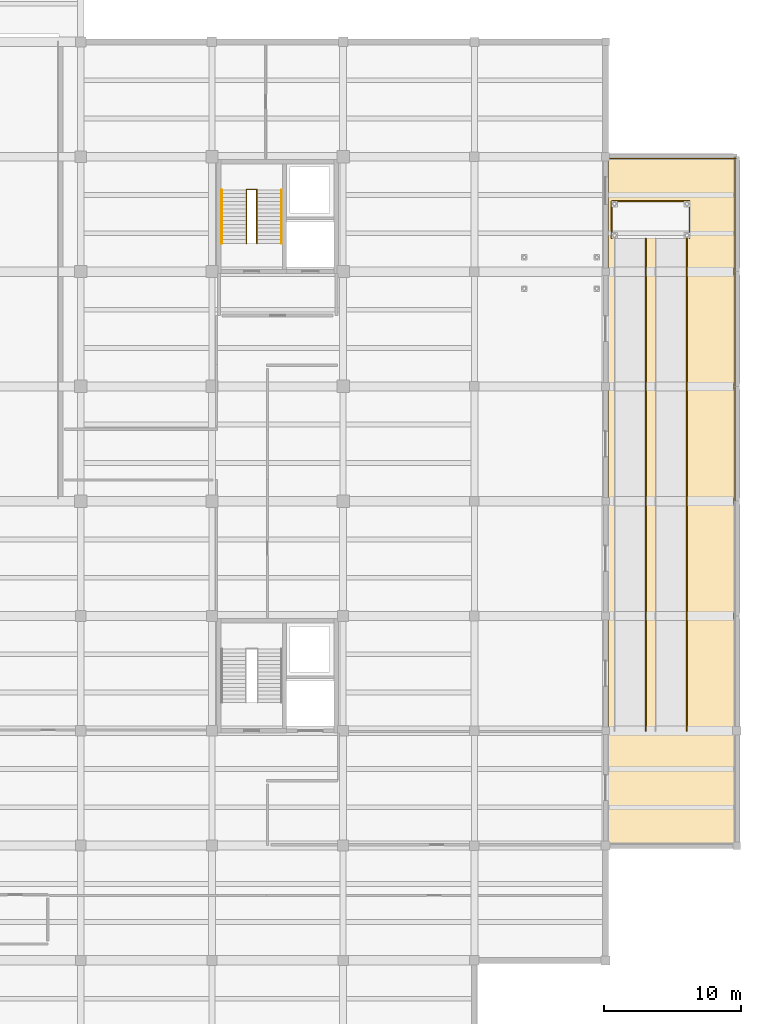
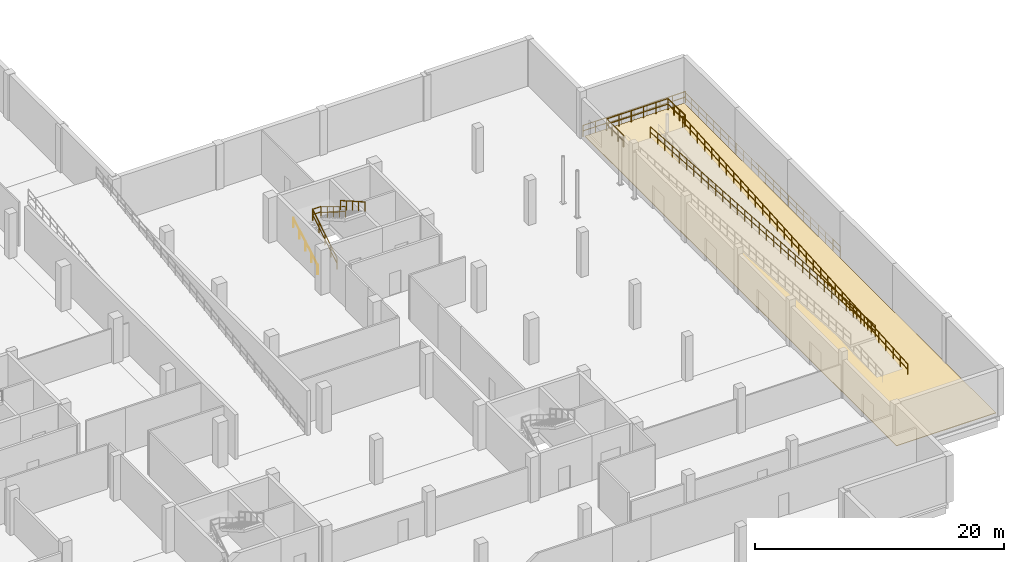
# One storey, part 30 of 30: 14 railings, 1 covering.
"""IFC4 building model written with IfcOpenShell, lengths in metres."""

from ifc_helpers import new_model, si_unit, direction, frame, origin, origin_2d, place, context, subcontext, project, spatial, polyline, circle, outline, extrude, material, layer, layer_set, type_object, element, save


model = new_model("IFC4")

# Units and contexts
model_context = context("Model", 3, precision=1e-05, world=origin(), true_north=direction((0.0, 1.0)))
body_context = subcontext(model_context, "Body", "Model", "MODEL_VIEW")
ifc_project = project(units=[si_unit("LENGTHUNIT", "METRE"), si_unit("AREAUNIT", "SQUARE_METRE"), si_unit("VOLUMEUNIT", "CUBIC_METRE"), si_unit("PLANEANGLEUNIT", "RADIAN"), si_unit("MASSUNIT", "GRAM", prefix="KILO")], contexts=[model_context])

# Site, building, storey
site_placement = place(None, origin())
site = spatial("IfcSite", under=ifc_project, at=site_placement, CompositionType="ELEMENT")
building_placement = place(site_placement, origin())
building = spatial("IfcBuilding", under=site, at=building_placement, Name="Lornevale Opera House", CompositionType="ELEMENT")
storey_placement = place(building_placement, frame((0.0, 0.0, -4.800048828125)))
storey = spatial("IfcBuildingStorey", under=building, at=storey_placement, Name="B1", CompositionType="ELEMENT", Elevation=-4.800048828125)

# Covering
ifc_material_1 = material(Name="Credit Valley Sandstone Ashlar Masonry (25 MPa)", Category="masonry")
ifc_layer_1 = layer(ifc_material_1, 0.054931640625)
ifc_layer_set_1 = layer_set([ifc_layer_1], Name="Credit Valley Sandstone Ashlar Masonry (25 MPa)")
covering_type = type_object("IfcCoveringType", Name="Sandstone Forecourt Paving", PredefinedType="FLOORING", material=ifc_layer_set_1)
covering_placement = place(storey_placement, origin())
element("IfcCovering", 1, at=covering_placement, inside=storey, type_object=covering_type, Name="East Escarpment Lower Plaza Paving", PredefinedType="FLOORING", context=body_context, shape_type="SweptSolid", body=[
    extrude(outline(polyline([(163.39990234375, 25.39990234375), (172.60009765625, 25.39990234375), (172.60009765625, 75.39990234375), (163.39990234375, 75.39990234375), (163.39990234375, 25.39990234375)])), origin(), (0.0, 0.0, 1.0), 0.054931640625),
])

# Railings
ifc_material_2 = material(Name="Structural Steel CSA G40.21 Grade 350W (350 MPa)", Category="steel")
ifc_layer_2 = layer(ifc_material_2, 0.050048828125)
ifc_layer_set_2 = layer_set([ifc_layer_2], Name="Structural Steel CSA G40.21 Grade 350W (350 MPa)")
railing_type_1 = type_object("IfcRailingType", Name="Stair Well Guardrail 1100", PredefinedType="GUARDRAIL", material=ifc_layer_set_2)
railing_1_placement = place(storey_placement, frame((136.919921875, 69.260009765625, 0.0)))
element("IfcRailing", 2, at=railing_1_placement, inside=storey, type_object=railing_type_1, Name="ST-29 Inner Well Guard F1", PredefinedType="GUARDRAIL", context=body_context, shape_type="SweptSolid", body=[
    extrude(circle(Radius=0.02392578125, at=origin_2d()), frame((0.0, 0.0, 1.076171875), z_axis=(0.0, 0.852832477147, 0.522184609045), x_axis=(-1.0, 0.0, 0.0)), (0.0, 0.0, 1.0), 4.596435546875),
    extrude(circle(Radius=0.02392578125, at=origin_2d()), frame((0.0, 0.0, 0.550048828125), z_axis=(0.0, 0.852832477147, 0.522184609045), x_axis=(-1.0, 0.0, 0.0)), (0.0, 0.0, 1.0), 4.596435546875),
    extrude(circle(Radius=0.02099609375, at=origin_2d()), origin(), (0.0, 0.0, 1.0), 1.052001953125),
    extrude(circle(Radius=0.02099609375, at=origin_2d()), frame((0.0, 0.97998046875, 0.60009765625)), (0.0, 0.0, 1.0), 1.052001953125),
    extrude(circle(Radius=0.02099609375, at=origin_2d()), frame((0.0, 1.9599609375, 1.2001953125)), (0.0, 0.0, 1.0), 1.052001953125),
    extrude(circle(Radius=0.02099609375, at=origin_2d()), frame((0.0, 2.93994140625, 1.800048828125)), (0.0, 0.0, 1.0), 1.052001953125),
    extrude(circle(Radius=0.02099609375, at=origin_2d()), frame((0.0, 3.919921875, 2.400146484375)), (0.0, 0.0, 1.0), 1.052001953125),
])
railing_2_placement = place(storey_placement, frame((137.679931640625, 73.179931640625, 2.400146484375)))
element("IfcRailing", 3, at=railing_2_placement, inside=storey, type_object=railing_type_1, Name="ST-29 Inner Well Guard F2", PredefinedType="GUARDRAIL", context=body_context, shape_type="SweptSolid", body=[
    extrude(circle(Radius=0.02392578125, at=origin_2d()), frame((0.0, 0.0, 1.076171875), z_axis=(0.0, -0.852856131449, 0.522145974847), x_axis=(1.0, 0.0, 0.0)), (0.0, 0.0, 1.0), 4.59619140625),
    extrude(circle(Radius=0.02392578125, at=origin_2d()), frame((0.0, 0.0, 0.550048828125), z_axis=(0.0, -0.852856131449, 0.522145974847), x_axis=(1.0, 0.0, 0.0)), (0.0, 0.0, 1.0), 4.59619140625),
    extrude(circle(Radius=0.02099609375, at=origin_2d()), origin(), (0.0, 0.0, 1.0), 1.052001953125),
    extrude(circle(Radius=0.02099609375, at=origin_2d()), frame((0.0, -0.97998046875, 0.60009765625)), (0.0, 0.0, 1.0), 1.052001953125),
    extrude(circle(Radius=0.02099609375, at=origin_2d()), frame((0.0, -1.9599609375, 1.199951171875)), (0.0, 0.0, 1.0), 1.052001953125),
    extrude(circle(Radius=0.02099609375, at=origin_2d()), frame((0.0, -2.93994140625, 1.7998046875)), (0.0, 0.0, 1.0), 1.052001953125),
    extrude(circle(Radius=0.02099609375, at=origin_2d()), frame((0.0, -3.919921875, 2.39990234375)), (0.0, 0.0, 1.0), 1.052001953125),
])
railing_3_placement = place(storey_placement, frame((136.919921875, 73.2099609375, 2.400146484375)))
element("IfcRailing", 4, at=railing_3_placement, inside=storey, type_object=railing_type_1, Name="ST-29 Half-Landing Slot Guard", PredefinedType="GUARDRAIL", context=body_context, shape_type="SweptSolid", body=[
    extrude(circle(Radius=0.02392578125, at=origin_2d()), frame((0.0, 0.0, 1.076171875), z_axis=(1.0, 0.0, 0.0), x_axis=(0.0, 1.0, 0.0)), (0.0, 0.0, 1.0), 0.760009765625),
    extrude(circle(Radius=0.02392578125, at=origin_2d()), frame((0.0, 0.0, 0.550048828125), z_axis=(1.0, 0.0, 0.0), x_axis=(0.0, 1.0, 0.0)), (0.0, 0.0, 1.0), 0.760009765625),
    extrude(circle(Radius=0.02099609375, at=origin_2d()), origin(), (0.0, 0.0, 1.0), 1.052001953125),
    extrude(circle(Radius=0.02099609375, at=origin_2d()), frame((0.760009765625, 0.0, 0.0)), (0.0, 0.0, 1.0), 1.052001953125),
])
ifc_layer_3 = layer(ifc_material_2, 0.06005859375)
ifc_layer_set_3 = layer_set([ifc_layer_3], Name="Structural Steel CSA G40.21 Grade 350W (350 MPa)")
railing_type_2 = type_object("IfcRailingType", Name="Terrace Tubular Guardrail 1120", PredefinedType="GUARDRAIL", material=ifc_layer_set_3)
railing_4_placement = place(storey_placement, frame((169.139892578125, 33.580078125, 0.0)))
element("IfcRailing", 5, at=railing_4_placement, inside=storey, type_object=railing_type_2, Name="RP-03 Ramp Guardrail 0229", PredefinedType="GUARDRAIL", context=body_context, shape_type="SweptSolid", body=[
    extrude(circle(Radius=0.02392578125, at=origin_2d()), frame((0.0, 0.0, 1.09619140625), z_axis=(0.0, 0.997789791153, 0.066449474575), x_axis=(-1.0, 0.0, 0.0)), (0.0, 0.0, 1.0), 36.119873046875),
    extrude(circle(Radius=0.02392578125, at=origin_2d()), frame((0.0, 0.0, 0.56005859375), z_axis=(0.0, 0.997789791153, 0.066449474575), x_axis=(-1.0, 0.0, 0.0)), (0.0, 0.0, 1.0), 36.119873046875),
    extrude(circle(Radius=0.02099609375, at=origin_2d()), origin(), (0.0, 0.0, 1.0), 1.072021484375),
    extrude(circle(Radius=0.02099609375, at=origin_2d()), frame((0.0, 1.16259765625, 0.077392578125)), (0.0, 0.0, 1.0), 1.072021484375),
    extrude(circle(Radius=0.02099609375, at=origin_2d()), frame((0.0, 2.3251953125, 0.15478515625)), (0.0, 0.0, 1.0), 1.072021484375),
    extrude(circle(Radius=0.02099609375, at=origin_2d()), frame((0.0, 3.48779296875, 0.232177734375)), (0.0, 0.0, 1.0), 1.072021484375),
    extrude(circle(Radius=0.02099609375, at=origin_2d()), frame((0.0, 4.650390625, 0.309814453125)), (0.0, 0.0, 1.0), 1.072021484375),
    extrude(circle(Radius=0.02099609375, at=origin_2d()), frame((0.0, 5.81298828125, 0.38720703125)), (0.0, 0.0, 1.0), 1.072021484375),
    extrude(circle(Radius=0.02099609375, at=origin_2d()), frame((0.0, 6.9755859375, 0.464599609375)), (0.0, 0.0, 1.0), 1.072021484375),
    extrude(circle(Radius=0.02099609375, at=origin_2d()), frame((0.0, 8.13818359375, 0.5419921875)), (0.0, 0.0, 1.0), 1.072021484375),
    extrude(circle(Radius=0.02099609375, at=origin_2d()), frame((0.0, 9.300537109375, 0.619384765625)), (0.0, 0.0, 1.0), 1.072021484375),
    extrude(circle(Radius=0.02099609375, at=origin_2d()), frame((0.0, 10.463134765625, 0.69677734375)), (0.0, 0.0, 1.0), 1.072021484375),
    extrude(circle(Radius=0.02099609375, at=origin_2d()), frame((0.0, 11.625732421875, 0.774169921875)), (0.0, 0.0, 1.0), 1.072021484375),
    extrude(circle(Radius=0.02099609375, at=origin_2d()), frame((0.0, 12.788330078125, 0.8515625)), (0.0, 0.0, 1.0), 1.072021484375),
    extrude(circle(Radius=0.02099609375, at=origin_2d()), frame((0.0, 13.950927734375, 0.92919921875)), (0.0, 0.0, 1.0), 1.072021484375),
    extrude(circle(Radius=0.02099609375, at=origin_2d()), frame((0.0, 15.113525390625, 1.006591796875)), (0.0, 0.0, 1.0), 1.072021484375),
    extrude(circle(Radius=0.02099609375, at=origin_2d()), frame((0.0, 16.276123046875, 1.083984375)), (0.0, 0.0, 1.0), 1.072021484375),
    extrude(circle(Radius=0.02099609375, at=origin_2d()), frame((0.0, 17.438720703125, 1.161376953125)), (0.0, 0.0, 1.0), 1.072021484375),
    extrude(circle(Radius=0.02099609375, at=origin_2d()), frame((0.0, 18.601318359375, 1.23876953125)), (0.0, 0.0, 1.0), 1.072021484375),
    extrude(circle(Radius=0.02099609375, at=origin_2d()), frame((0.0, 19.763916015625, 1.316162109375)), (0.0, 0.0, 1.0), 1.072021484375),
    extrude(circle(Radius=0.02099609375, at=origin_2d()), frame((0.0, 20.926513671875, 1.3935546875)), (0.0, 0.0, 1.0), 1.072021484375),
    extrude(circle(Radius=0.02099609375, at=origin_2d()), frame((0.0, 22.089111328125, 1.470947265625)), (0.0, 0.0, 1.0), 1.072021484375),
    extrude(circle(Radius=0.02099609375, at=origin_2d()), frame((0.0, 23.251708984375, 1.548583984375)), (0.0, 0.0, 1.0), 1.072021484375),
    extrude(circle(Radius=0.02099609375, at=origin_2d()), frame((0.0, 24.414306640625, 1.6259765625)), (0.0, 0.0, 1.0), 1.072021484375),
    extrude(circle(Radius=0.02099609375, at=origin_2d()), frame((0.0, 25.576904296875, 1.703369140625)), (0.0, 0.0, 1.0), 1.072021484375),
    extrude(circle(Radius=0.02099609375, at=origin_2d()), frame((0.0, 26.739501953125, 1.78076171875)), (0.0, 0.0, 1.0), 1.072021484375),
    extrude(circle(Radius=0.02099609375, at=origin_2d()), frame((0.0, 27.90185546875, 1.858154296875)), (0.0, 0.0, 1.0), 1.072021484375),
    extrude(circle(Radius=0.02099609375, at=origin_2d()), frame((0.0, 29.064453125, 1.935546875)), (0.0, 0.0, 1.0), 1.072021484375),
    extrude(circle(Radius=0.02099609375, at=origin_2d()), frame((0.0, 30.22705078125, 2.012939453125)), (0.0, 0.0, 1.0), 1.072021484375),
    extrude(circle(Radius=0.02099609375, at=origin_2d()), frame((0.0, 31.3896484375, 2.09033203125)), (0.0, 0.0, 1.0), 1.072021484375),
    extrude(circle(Radius=0.02099609375, at=origin_2d()), frame((0.0, 32.55224609375, 2.16796875)), (0.0, 0.0, 1.0), 1.072021484375),
    extrude(circle(Radius=0.02099609375, at=origin_2d()), frame((0.0, 33.71484375, 2.245361328125)), (0.0, 0.0, 1.0), 1.072021484375),
    extrude(circle(Radius=0.02099609375, at=origin_2d()), frame((0.0, 34.87744140625, 2.32275390625)), (0.0, 0.0, 1.0), 1.072021484375),
    extrude(circle(Radius=0.02099609375, at=origin_2d()), frame((0.0, 36.0400390625, 2.400146484375)), (0.0, 0.0, 1.0), 1.072021484375),
])
railing_5_placement = place(storey_placement, frame((166.139892578125, 69.6201171875, 2.400146484375)))
element("IfcRailing", 6, at=railing_5_placement, inside=storey, type_object=railing_type_2, Name="RP-04 Ramp Guardrail 0232", PredefinedType="GUARDRAIL", context=body_context, shape_type="SweptSolid", body=[
    extrude(circle(Radius=0.02392578125, at=origin_2d()), frame((0.0, 0.0, 1.09619140625), z_axis=(0.0, -0.997790239281, 0.066442745239), x_axis=(1.0, 0.0, 0.0)), (0.0, 0.0, 1.0), 36.119873046875),
    extrude(circle(Radius=0.02392578125, at=origin_2d()), frame((0.0, 0.0, 0.56005859375), z_axis=(0.0, -0.997790239281, 0.066442745239), x_axis=(1.0, 0.0, 0.0)), (0.0, 0.0, 1.0), 36.119873046875),
    extrude(circle(Radius=0.02099609375, at=origin_2d()), origin(), (0.0, 0.0, 1.0), 1.072021484375),
    extrude(circle(Radius=0.02099609375, at=origin_2d()), frame((0.0, -1.16259765625, 0.077392578125)), (0.0, 0.0, 1.0), 1.072021484375),
    extrude(circle(Radius=0.02099609375, at=origin_2d()), frame((0.0, -2.3251953125, 0.15478515625)), (0.0, 0.0, 1.0), 1.072021484375),
    extrude(circle(Radius=0.02099609375, at=origin_2d()), frame((0.0, -3.48779296875, 0.232177734375)), (0.0, 0.0, 1.0), 1.072021484375),
    extrude(circle(Radius=0.02099609375, at=origin_2d()), frame((0.0, -4.650390625, 0.3095703125)), (0.0, 0.0, 1.0), 1.072021484375),
    extrude(circle(Radius=0.02099609375, at=origin_2d()), frame((0.0, -5.81298828125, 0.386962890625)), (0.0, 0.0, 1.0), 1.072021484375),
    extrude(circle(Radius=0.02099609375, at=origin_2d()), frame((0.0, -6.9755859375, 0.464599609375)), (0.0, 0.0, 1.0), 1.072021484375),
    extrude(circle(Radius=0.02099609375, at=origin_2d()), frame((0.0, -8.13818359375, 0.5419921875)), (0.0, 0.0, 1.0), 1.072021484375),
    extrude(circle(Radius=0.02099609375, at=origin_2d()), frame((0.0, -9.300537109375, 0.619384765625)), (0.0, 0.0, 1.0), 1.072021484375),
    extrude(circle(Radius=0.02099609375, at=origin_2d()), frame((0.0, -10.463134765625, 0.69677734375)), (0.0, 0.0, 1.0), 1.072021484375),
    extrude(circle(Radius=0.02099609375, at=origin_2d()), frame((0.0, -11.625732421875, 0.774169921875)), (0.0, 0.0, 1.0), 1.072021484375),
    extrude(circle(Radius=0.02099609375, at=origin_2d()), frame((0.0, -12.788330078125, 0.8515625)), (0.0, 0.0, 1.0), 1.072021484375),
    extrude(circle(Radius=0.02099609375, at=origin_2d()), frame((0.0, -13.950927734375, 0.928955078125)), (0.0, 0.0, 1.0), 1.072021484375),
    extrude(circle(Radius=0.02099609375, at=origin_2d()), frame((0.0, -15.113525390625, 1.00634765625)), (0.0, 0.0, 1.0), 1.072021484375),
    extrude(circle(Radius=0.02099609375, at=origin_2d()), frame((0.0, -16.276123046875, 1.083740234375)), (0.0, 0.0, 1.0), 1.072021484375),
    extrude(circle(Radius=0.02099609375, at=origin_2d()), frame((0.0, -17.438720703125, 1.1611328125)), (0.0, 0.0, 1.0), 1.072021484375),
    extrude(circle(Radius=0.02099609375, at=origin_2d()), frame((0.0, -18.601318359375, 1.23876953125)), (0.0, 0.0, 1.0), 1.072021484375),
    extrude(circle(Radius=0.02099609375, at=origin_2d()), frame((0.0, -19.763916015625, 1.316162109375)), (0.0, 0.0, 1.0), 1.072021484375),
    extrude(circle(Radius=0.02099609375, at=origin_2d()), frame((0.0, -20.926513671875, 1.3935546875)), (0.0, 0.0, 1.0), 1.072021484375),
    extrude(circle(Radius=0.02099609375, at=origin_2d()), frame((0.0, -22.089111328125, 1.470947265625)), (0.0, 0.0, 1.0), 1.072021484375),
    extrude(circle(Radius=0.02099609375, at=origin_2d()), frame((0.0, -23.251708984375, 1.54833984375)), (0.0, 0.0, 1.0), 1.072021484375),
    extrude(circle(Radius=0.02099609375, at=origin_2d()), frame((0.0, -24.414306640625, 1.625732421875)), (0.0, 0.0, 1.0), 1.072021484375),
    extrude(circle(Radius=0.02099609375, at=origin_2d()), frame((0.0, -25.576904296875, 1.703125)), (0.0, 0.0, 1.0), 1.072021484375),
    extrude(circle(Radius=0.02099609375, at=origin_2d()), frame((0.0, -26.739501953125, 1.780517578125)), (0.0, 0.0, 1.0), 1.072021484375),
    extrude(circle(Radius=0.02099609375, at=origin_2d()), frame((0.0, -27.90185546875, 1.85791015625)), (0.0, 0.0, 1.0), 1.072021484375),
    extrude(circle(Radius=0.02099609375, at=origin_2d()), frame((0.0, -29.064453125, 1.935302734375)), (0.0, 0.0, 1.0), 1.072021484375),
    extrude(circle(Radius=0.02099609375, at=origin_2d()), frame((0.0, -30.22705078125, 2.012939453125)), (0.0, 0.0, 1.0), 1.072021484375),
    extrude(circle(Radius=0.02099609375, at=origin_2d()), frame((0.0, -31.3896484375, 2.09033203125)), (0.0, 0.0, 1.0), 1.072021484375),
    extrude(circle(Radius=0.02099609375, at=origin_2d()), frame((0.0, -32.55224609375, 2.167724609375)), (0.0, 0.0, 1.0), 1.072021484375),
    extrude(circle(Radius=0.02099609375, at=origin_2d()), frame((0.0, -33.71484375, 2.2451171875)), (0.0, 0.0, 1.0), 1.072021484375),
    extrude(circle(Radius=0.02099609375, at=origin_2d()), frame((0.0, -34.87744140625, 2.322509765625)), (0.0, 0.0, 1.0), 1.072021484375),
    extrude(circle(Radius=0.02099609375, at=origin_2d()), frame((0.0, -36.0400390625, 2.39990234375)), (0.0, 0.0, 1.0), 1.072021484375),
])
railing_6_placement = place(storey_placement, frame((163.64990234375, 72.340087890625, 2.400146484375)))
element("IfcRailing", 7, at=railing_6_placement, inside=storey, type_object=railing_type_2, Name="Promenade B1 Mid-Landing Guard 0237", PredefinedType="GUARDRAIL", context=body_context, shape_type="SweptSolid", body=[
    extrude(circle(Radius=0.02392578125, at=origin_2d()), frame((0.0, 0.0, 1.09619140625), z_axis=(1.0, 0.0, 0.0), x_axis=(0.0, 1.0, 0.0)), (0.0, 0.0, 1.0), 5.7001953125),
    extrude(circle(Radius=0.02392578125, at=origin_2d()), frame((0.0, 0.0, 0.56005859375), z_axis=(1.0, 0.0, 0.0), x_axis=(0.0, 1.0, 0.0)), (0.0, 0.0, 1.0), 5.7001953125),
    extrude(circle(Radius=0.02099609375, at=origin_2d()), origin(), (0.0, 0.0, 1.0), 1.072021484375),
    extrude(circle(Radius=0.02099609375, at=origin_2d()), frame((1.14013671875, 0.0, 0.0)), (0.0, 0.0, 1.0), 1.072021484375),
    extrude(circle(Radius=0.02099609375, at=origin_2d()), frame((2.280029296875, 0.0, 0.0)), (0.0, 0.0, 1.0), 1.072021484375),
    extrude(circle(Radius=0.02099609375, at=origin_2d()), frame((3.420166015625, 0.0, 0.0)), (0.0, 0.0, 1.0), 1.072021484375),
    extrude(circle(Radius=0.02099609375, at=origin_2d()), frame((4.56005859375, 0.0, 0.0)), (0.0, 0.0, 1.0), 1.072021484375),
    extrude(circle(Radius=0.02099609375, at=origin_2d()), frame((5.7001953125, 0.0, 0.0)), (0.0, 0.0, 1.0), 1.072021484375),
])
for number, where, name in (
    (8, (163.64990234375, 69.64990234375, 2.400146484375), "Promenade B1 Mid-Landing Guard 0238"),
    (9, (169.35009765625, 69.64990234375, 2.400146484375), "Promenade B1 Mid-Landing Guard 0239"),
):
    element("IfcRailing", number, at=place(storey_placement, frame(where)), inside=storey, type_object=railing_type_2, Name=name, PredefinedType="GUARDRAIL", context=body_context, shape_type="SweptSolid", body=[
        extrude(circle(Radius=0.02392578125, at=origin_2d()), frame((0.0, 0.0, 1.09619140625), z_axis=(0.0, 1.0, 0.0), x_axis=(-1.0, 0.0, 0.0)), (0.0, 0.0, 1.0), 2.690185546875),
        extrude(circle(Radius=0.02392578125, at=origin_2d()), frame((0.0, 0.0, 0.56005859375), z_axis=(0.0, 1.0, 0.0), x_axis=(-1.0, 0.0, 0.0)), (0.0, 0.0, 1.0), 2.690185546875),
        extrude(circle(Radius=0.02099609375, at=origin_2d()), origin(), (0.0, 0.0, 1.0), 1.072021484375),
        extrude(circle(Radius=0.02099609375, at=origin_2d()), frame((0.0, 0.896728515625, 0.0)), (0.0, 0.0, 1.0), 1.072021484375),
        extrude(circle(Radius=0.02099609375, at=origin_2d()), frame((0.0, 1.79345703125, 0.0)), (0.0, 0.0, 1.0), 1.072021484375),
        extrude(circle(Radius=0.02099609375, at=origin_2d()), frame((0.0, 2.690185546875, 0.0)), (0.0, 0.0, 1.0), 1.072021484375),
    ])
railing_7_placement = place(storey_placement, frame((172.659912109375, 50.449951171875, 0.0)))
element("IfcRailing", 10, at=railing_7_placement, inside=storey, type_object=railing_type_2, Name="Terrace Perimeter Guard B1 0247", PredefinedType="GUARDRAIL", context=body_context, shape_type="SweptSolid", body=[
    extrude(circle(Radius=0.02392578125, at=origin_2d()), frame((0.0, 0.0, 1.09619140625), z_axis=(0.0, 1.0, 0.0), x_axis=(-1.0, 0.0, 0.0)), (0.0, 0.0, 1.0), 8.300048828125),
    extrude(circle(Radius=0.02392578125, at=origin_2d()), frame((0.0, 0.0, 0.56005859375), z_axis=(0.0, 1.0, 0.0), x_axis=(-1.0, 0.0, 0.0)), (0.0, 0.0, 1.0), 8.300048828125),
    extrude(circle(Radius=0.02099609375, at=origin_2d()), origin(), (0.0, 0.0, 1.0), 1.072021484375),
    extrude(circle(Radius=0.02099609375, at=origin_2d()), frame((0.0, 1.185791015625, 0.0)), (0.0, 0.0, 1.0), 1.072021484375),
    extrude(circle(Radius=0.02099609375, at=origin_2d()), frame((0.0, 2.371337890625, 0.0)), (0.0, 0.0, 1.0), 1.072021484375),
    extrude(circle(Radius=0.02099609375, at=origin_2d()), frame((0.0, 3.55712890625, 0.0)), (0.0, 0.0, 1.0), 1.072021484375),
    extrude(circle(Radius=0.02099609375, at=origin_2d()), frame((0.0, 4.742919921875, 0.0)), (0.0, 0.0, 1.0), 1.072021484375),
    extrude(circle(Radius=0.02099609375, at=origin_2d()), frame((0.0, 5.9287109375, 0.0)), (0.0, 0.0, 1.0), 1.072021484375),
    extrude(circle(Radius=0.02099609375, at=origin_2d()), frame((0.0, 7.1142578125, 0.0)), (0.0, 0.0, 1.0), 1.072021484375),
    extrude(circle(Radius=0.02099609375, at=origin_2d()), frame((0.0, 8.300048828125, 0.0)), (0.0, 0.0, 1.0), 1.072021484375),
])
railing_8_placement = place(storey_placement, frame((172.659912109375, 58.85009765625, 0.0)))
element("IfcRailing", 11, at=railing_8_placement, inside=storey, type_object=railing_type_2, Name="Terrace Perimeter Guard B1 0248", PredefinedType="GUARDRAIL", context=body_context, shape_type="SweptSolid", body=[
    extrude(circle(Radius=0.02392578125, at=origin_2d()), frame((0.0, 0.0, 1.09619140625), z_axis=(0.0, 1.0, 0.0), x_axis=(-1.0, 0.0, 0.0)), (0.0, 0.0, 1.0), 8.2998046875),
    extrude(circle(Radius=0.02392578125, at=origin_2d()), frame((0.0, 0.0, 0.56005859375), z_axis=(0.0, 1.0, 0.0), x_axis=(-1.0, 0.0, 0.0)), (0.0, 0.0, 1.0), 8.2998046875),
    extrude(circle(Radius=0.02099609375, at=origin_2d()), origin(), (0.0, 0.0, 1.0), 1.072021484375),
    extrude(circle(Radius=0.02099609375, at=origin_2d()), frame((0.0, 1.185791015625, 0.0)), (0.0, 0.0, 1.0), 1.072021484375),
    extrude(circle(Radius=0.02099609375, at=origin_2d()), frame((0.0, 2.371337890625, 0.0)), (0.0, 0.0, 1.0), 1.072021484375),
    extrude(circle(Radius=0.02099609375, at=origin_2d()), frame((0.0, 3.55712890625, 0.0)), (0.0, 0.0, 1.0), 1.072021484375),
    extrude(circle(Radius=0.02099609375, at=origin_2d()), frame((0.0, 4.74267578125, 0.0)), (0.0, 0.0, 1.0), 1.072021484375),
    extrude(circle(Radius=0.02099609375, at=origin_2d()), frame((0.0, 5.928466796875, 0.0)), (0.0, 0.0, 1.0), 1.072021484375),
    extrude(circle(Radius=0.02099609375, at=origin_2d()), frame((0.0, 7.114013671875, 0.0)), (0.0, 0.0, 1.0), 1.072021484375),
    extrude(circle(Radius=0.02099609375, at=origin_2d()), frame((0.0, 8.2998046875, 0.0)), (0.0, 0.0, 1.0), 1.072021484375),
])
railing_9_placement = place(storey_placement, frame((163.25, 75.4599609375, 0.0)))
element("IfcRailing", 12, at=railing_9_placement, inside=storey, type_object=railing_type_2, Name="Terrace Perimeter Guard B1 0249", PredefinedType="GUARDRAIL", context=body_context, shape_type="SweptSolid", body=[
    extrude(circle(Radius=0.02392578125, at=origin_2d()), frame((0.0, 0.0, 1.09619140625), z_axis=(1.0, 0.0, 0.0), x_axis=(0.0, 1.0, 0.0)), (0.0, 0.0, 1.0), 9.5),
    extrude(circle(Radius=0.02392578125, at=origin_2d()), frame((0.0, 0.0, 0.56005859375), z_axis=(1.0, 0.0, 0.0), x_axis=(0.0, 1.0, 0.0)), (0.0, 0.0, 1.0), 9.5),
    extrude(circle(Radius=0.02099609375, at=origin_2d()), origin(), (0.0, 0.0, 1.0), 1.072021484375),
    extrude(circle(Radius=0.02099609375, at=origin_2d()), frame((1.1875, 0.0, 0.0)), (0.0, 0.0, 1.0), 1.072021484375),
    extrude(circle(Radius=0.02099609375, at=origin_2d()), frame((2.375, 0.0, 0.0)), (0.0, 0.0, 1.0), 1.072021484375),
    extrude(circle(Radius=0.02099609375, at=origin_2d()), frame((3.5625, 0.0, 0.0)), (0.0, 0.0, 1.0), 1.072021484375),
    extrude(circle(Radius=0.02099609375, at=origin_2d()), frame((4.75, 0.0, 0.0)), (0.0, 0.0, 1.0), 1.072021484375),
    extrude(circle(Radius=0.02099609375, at=origin_2d()), frame((5.9375, 0.0, 0.0)), (0.0, 0.0, 1.0), 1.072021484375),
    extrude(circle(Radius=0.02099609375, at=origin_2d()), frame((7.125, 0.0, 0.0)), (0.0, 0.0, 1.0), 1.072021484375),
    extrude(circle(Radius=0.02099609375, at=origin_2d()), frame((8.3125, 0.0, 0.0)), (0.0, 0.0, 1.0), 1.072021484375),
    extrude(circle(Radius=0.02099609375, at=origin_2d()), frame((9.5, 0.0, 0.0)), (0.0, 0.0, 1.0), 1.072021484375),
])
railing_10_placement = place(storey_placement, frame((172.659912109375, 67.25, 0.0)))
element("IfcRailing", 13, at=railing_10_placement, inside=storey, type_object=railing_type_2, Name="Terrace Perimeter Guard B1 0250", PredefinedType="GUARDRAIL", context=body_context, shape_type="SweptSolid", body=[
    extrude(circle(Radius=0.02392578125, at=origin_2d()), frame((0.0, 0.0, 1.09619140625), z_axis=(0.0, 1.0, 0.0), x_axis=(-1.0, 0.0, 0.0)), (0.0, 0.0, 1.0), 8.300048828125),
    extrude(circle(Radius=0.02392578125, at=origin_2d()), frame((0.0, 0.0, 0.56005859375), z_axis=(0.0, 1.0, 0.0), x_axis=(-1.0, 0.0, 0.0)), (0.0, 0.0, 1.0), 8.300048828125),
    extrude(circle(Radius=0.02099609375, at=origin_2d()), origin(), (0.0, 0.0, 1.0), 1.072021484375),
    extrude(circle(Radius=0.02099609375, at=origin_2d()), frame((0.0, 1.185791015625, 0.0)), (0.0, 0.0, 1.0), 1.072021484375),
    extrude(circle(Radius=0.02099609375, at=origin_2d()), frame((0.0, 2.371337890625, 0.0)), (0.0, 0.0, 1.0), 1.072021484375),
    extrude(circle(Radius=0.02099609375, at=origin_2d()), frame((0.0, 3.55712890625, 0.0)), (0.0, 0.0, 1.0), 1.072021484375),
    extrude(circle(Radius=0.02099609375, at=origin_2d()), frame((0.0, 4.742919921875, 0.0)), (0.0, 0.0, 1.0), 1.072021484375),
    extrude(circle(Radius=0.02099609375, at=origin_2d()), frame((0.0, 5.9287109375, 0.0)), (0.0, 0.0, 1.0), 1.072021484375),
    extrude(circle(Radius=0.02099609375, at=origin_2d()), frame((0.0, 7.1142578125, 0.0)), (0.0, 0.0, 1.0), 1.072021484375),
    extrude(circle(Radius=0.02099609375, at=origin_2d()), frame((0.0, 8.300048828125, 0.0)), (0.0, 0.0, 1.0), 1.072021484375),
])
ifc_layer_4 = layer(ifc_material_2, 0.048095703125)
ifc_layer_set_4 = layer_set([ifc_layer_4], Name="Structural Steel CSA G40.21 Grade 350W (350 MPa)")
railing_type_3 = type_object("IfcRailingType", Name="Tubular Stair Handrail 915", PredefinedType="HANDRAIL", material=ifc_layer_set_4)
railing_11_placement = place(storey_placement, frame((135.1201171875, 69.260009765625, 0.1630859375)))
element("IfcRailing", 14, at=railing_11_placement, inside=storey, type_object=railing_type_3, Name="ST-29 Outer Handrail F1", PredefinedType="HANDRAIL", context=body_context, shape_type="SweptSolid", body=[
    extrude(circle(Radius=0.02392578125, at=origin_2d()), frame((0.0, 0.0, 0.89111328125), z_axis=(0.0, 0.868239814368, 0.496144761885), x_axis=(-1.0, 0.0, 0.0)), (0.0, 0.0, 1.0), 4.514892578125),
    extrude(circle(Radius=0.02099609375, at=origin_2d()), origin(), (0.0, 0.0, 1.0), 0.866943359375),
    extrude(circle(Radius=0.02099609375, at=origin_2d()), frame((0.0, 0.97998046875, 0.56005859375)), (0.0, 0.0, 1.0), 0.866943359375),
    extrude(circle(Radius=0.02099609375, at=origin_2d()), frame((0.0, 1.9599609375, 1.1201171875)), (0.0, 0.0, 1.0), 0.866943359375),
    extrude(circle(Radius=0.02099609375, at=origin_2d()), frame((0.0, 2.93994140625, 1.679931640625)), (0.0, 0.0, 1.0), 0.866943359375),
    extrude(circle(Radius=0.02099609375, at=origin_2d()), frame((0.0, 3.919921875, 2.239990234375)), (0.0, 0.0, 1.0), 0.866943359375),
])
railing_12_placement = place(storey_placement, frame((139.47998046875, 73.179931640625, 2.56298828125)))
element("IfcRailing", 15, at=railing_12_placement, inside=storey, type_object=railing_type_3, Name="ST-29 Outer Handrail F2", PredefinedType="HANDRAIL", context=body_context, shape_type="SweptSolid", body=[
    extrude(circle(Radius=0.02392578125, at=origin_2d()), frame((0.0, 0.0, 0.89111328125), z_axis=(0.0, -0.868239814368, 0.496144761885), x_axis=(1.0, 0.0, 0.0)), (0.0, 0.0, 1.0), 4.514892578125),
    extrude(circle(Radius=0.02099609375, at=origin_2d()), origin(), (0.0, 0.0, 1.0), 0.866943359375),
    extrude(circle(Radius=0.02099609375, at=origin_2d()), frame((0.0, -0.97998046875, 0.56005859375)), (0.0, 0.0, 1.0), 0.866943359375),
    extrude(circle(Radius=0.02099609375, at=origin_2d()), frame((0.0, -1.9599609375, 1.1201171875)), (0.0, 0.0, 1.0), 0.866943359375),
    extrude(circle(Radius=0.02099609375, at=origin_2d()), frame((0.0, -2.93994140625, 1.679931640625)), (0.0, 0.0, 1.0), 0.866943359375),
    extrude(circle(Radius=0.02099609375, at=origin_2d()), frame((0.0, -3.919921875, 2.239990234375)), (0.0, 0.0, 1.0), 0.866943359375),
])

save(model, "model.ifc")
